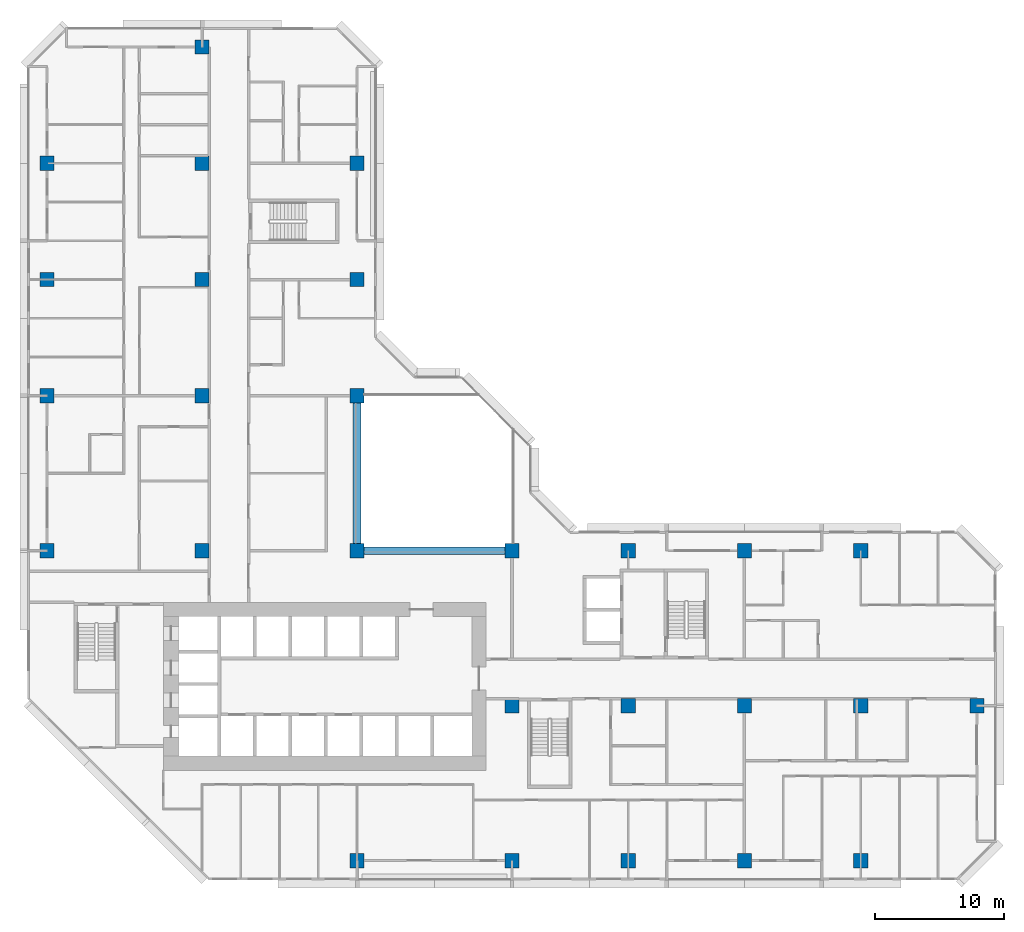
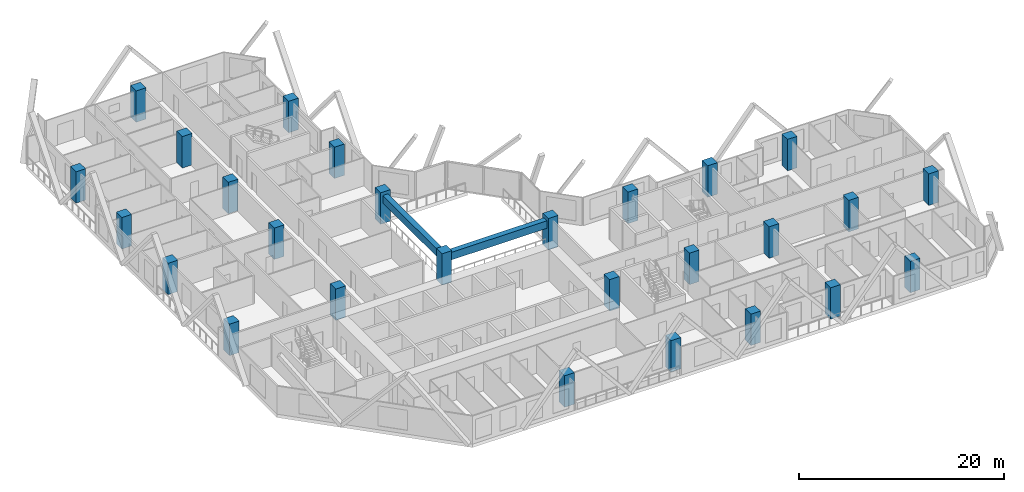
# One storey, part 1 of 15: 27 columns, 2 beams.
"""IFC4 building model written with IfcOpenShell, lengths in metres."""

from ifc_helpers import new_model, si_unit, direction, frame, origin, origin_2d, place, context, subcontext, project, spatial, rectangle, extrude, material, material_profile, profile_set, type_object, element, save


model = new_model("IFC4")

# Units and contexts
model_context = context("Model", 3, precision=1e-05, world=origin(), true_north=direction((0.0, 1.0)))
body_context = subcontext(model_context, "Body", "Model", "MODEL_VIEW")
ifc_project = project(units=[si_unit("LENGTHUNIT", "METRE"), si_unit("AREAUNIT", "SQUARE_METRE"), si_unit("VOLUMEUNIT", "CUBIC_METRE"), si_unit("PLANEANGLEUNIT", "RADIAN"), si_unit("MASSUNIT", "GRAM", prefix="KILO")], contexts=[model_context])

# Site, building, storey
site_placement = place(None, origin())
site = spatial("IfcSite", under=ifc_project, at=site_placement, CompositionType="ELEMENT")
building_placement = place(site_placement, origin())
building = spatial("IfcBuilding", under=site, at=building_placement, Name="Chenar Terraces", CompositionType="ELEMENT")
storey_placement = place(building_placement, frame((0.0, 0.0, 63.89990234375)))
storey = spatial("IfcBuildingStorey", under=building, at=storey_placement, Name="L13", CompositionType="ELEMENT", Elevation=63.89990234375)

# Columns
ifc_material_1 = material(Name="Concrete C70/85", Category="concrete")
ifc_material_profile_1 = material_profile(ifc_material_1, rectangle(XDim=1.10009765625, YDim=1.10009765625, at=origin_2d()), Name="C 1100 x 1100")
ifc_profile_set_1 = profile_set([ifc_material_profile_1], Name="Concrete C70/85")
column_type = type_object("IfcColumnType", Name="Column C 1100 x 1100 Concrete C70/85", PredefinedType="COLUMN", material=ifc_profile_set_1)
column_1_placement = place(storey_placement, frame((0.0, 24.0, 0.0), z_axis=(0.0, 0.0, 1.0), x_axis=(1.0, 0.0, 0.0)))
element("IfcColumn", 1, at=column_1_placement, inside=storey, type_object=column_type, Name="Column 5/G L13", PredefinedType="COLUMN", context=body_context, shape_type="SweptSolid", body=[
    extrude(rectangle(XDim=1.10009765625, YDim=1.10009765625, at=origin_2d()), origin(), (0.0, 0.0, 1.0), 3.75),
])
column_2_placement = place(storey_placement, frame((0.0, 36.0, 0.0), z_axis=(0.0, 0.0, 1.0), x_axis=(1.0, 0.0, 0.0)))
element("IfcColumn", 2, at=column_2_placement, inside=storey, type_object=column_type, Name="Column 5/H L13", PredefinedType="COLUMN", context=body_context, shape_type="SweptSolid", body=[
    extrude(rectangle(XDim=1.10009765625, YDim=1.10009765625, at=origin_2d()), origin(), (0.0, 0.0, 1.0), 3.75),
])
for number, where, z_axis, x_axis, name in (
    (3, (0.0, 45.0, 0.0), (0.0, 0.0, 1.0), (1.0, 0.0, 0.0), "Column 5/J L13"),
    (4, (0.0, 54.0, 0.0), (0.0, 0.0, 1.0), (1.0, 0.0, 0.0), "Column 5/K L13"),
    (5, (12.0, 24.0, 0.0), (0.0, 0.0, 1.0), (1.0, 0.0, 0.0), "Column 6/G L13"),
    (6, (12.0, 36.0, 0.0), (0.0, 0.0, 1.0), (1.0, 0.0, 0.0), "Column 6/H L13"),
    (7, (12.0, 45.0, 0.0), (0.0, 0.0, 1.0), (1.0, 0.0, 0.0), "Column 6/J L13"),
    (8, (12.0, 54.0, 0.0), (0.0, 0.0, 1.0), (1.0, 0.0, 0.0), "Column 6/K L13"),
    (9, (12.0, 63.0, 0.0), (0.0, 0.0, 1.0), (1.0, 0.0, 0.0), "Column 6/L L13"),
    (10, (24.0, 0.0, 0.0), (0.0, 0.0, 1.0), (1.0, 0.0, 0.0), "Column 7/E L13"),
    (11, (24.0, 24.0, 0.0), (0.0, 0.0, 1.0), (1.0, 0.0, 0.0), "Column 7/G L13"),
    (12, (24.0, 36.0, 0.0), (0.0, 0.0, 1.0), (1.0, 0.0, 0.0), "Column 7/H L13"),
    (13, (24.0, 45.0, 0.0), (0.0, 0.0, 1.0), (1.0, 0.0, 0.0), "Column 7/J L13"),
    (14, (24.0, 54.0, 0.0), (0.0, 0.0, 1.0), (1.0, 0.0, 0.0), "Column 7/K L13"),
    (15, (36.0, 0.0, 0.0), (0.0, 0.0, 1.0), (1.0, 0.0, 0.0), "Column 8/E L13"),
    (16, (36.0, 12.0, 0.0), (0.0, 0.0, 1.0), (1.0, 0.0, 0.0), "Column 8/F L13"),
    (17, (36.0, 24.0, 0.0), (0.0, 0.0, 1.0), (1.0, 0.0, 0.0), "Column 8/G L13"),
    (18, (45.0, 0.0, 0.0), (0.0, 0.0, 1.0), (1.0, 0.0, 0.0), "Column 9/E L13"),
    (19, (45.0, 12.0, 0.0), (0.0, 0.0, 1.0), (1.0, 0.0, 0.0), "Column 9/F L13"),
    (20, (45.0, 24.0, 0.0), (0.0, 0.0, 1.0), (1.0, 0.0, 0.0), "Column 9/G L13"),
    (21, (54.0, 0.0, 0.0), (0.0, 0.0, 1.0), (1.0, 0.0, 0.0), "Column 10/E L13"),
    (22, (54.0, 12.0, 0.0), (0.0, 0.0, 1.0), (1.0, 0.0, 0.0), "Column 10/F L13"),
    (23, (54.0, 24.0, 0.0), (0.0, 0.0, 1.0), (1.0, 0.0, 0.0), "Column 10/G L13"),
    (24, (63.0, 0.0, 0.0), (0.0, 0.0, 1.0), (1.0, 0.0, 0.0), "Column 11/E L13"),
    (25, (63.0, 12.0, 0.0), (0.0, 0.0, 1.0), (1.0, 0.0, 0.0), "Column 11/F L13"),
    (26, (63.0, 24.0, 0.0), (0.0, 0.0, 1.0), (1.0, 0.0, 0.0), "Column 11/G L13"),
    (27, (72.0, 12.0, 0.0), (0.0, 0.0, 1.0), (1.0, 0.0, 0.0), "Column 12/F L13"),
):
    element("IfcColumn", number, at=place(storey_placement, frame(where, z_axis=z_axis, x_axis=x_axis)), inside=storey, type_object=column_type, Name=name, PredefinedType="COLUMN", context=body_context, shape_type="SweptSolid", body=[
        extrude(rectangle(XDim=1.10009765625, YDim=1.10009765625, at=origin_2d()), origin(), (0.0, 0.0, 1.0), 3.75),
    ])

# Beams
ifc_material_2 = material(Name="Concrete C40/50", Category="concrete")
ifc_material_profile_2 = material_profile(ifc_material_2, rectangle(XDim=0.60009765625, YDim=0.89990234375, at=origin_2d()), Name="RC 600 x 900")
ifc_profile_set_2 = profile_set([ifc_material_profile_2], Name="Concrete C40/50")
beam_type = type_object("IfcBeamType", Name="Atrium edge beam 600 x 900 Concrete C40/50", PredefinedType="BEAM", material=ifc_profile_set_2)
for number, where, z_axis, x_axis, name in (
    (28, (24.550048828125, 24.0, 2.900146484375), (1.0, 0.0, 0.0), (0.0, 1.0, 0.0), "Atrium edge beam L14 1"),
    (29, (24.0, 35.449951171875, 2.900146484375), (0.0, -1.0, 0.0), (1.0, 0.0, 0.0), "Atrium edge beam L14 4"),
):
    element("IfcBeam", number, at=place(storey_placement, frame(where, z_axis=z_axis, x_axis=x_axis)), inside=storey, type_object=beam_type, Name=name, PredefinedType="BEAM", context=body_context, shape_type="SweptSolid", body=[
        extrude(rectangle(XDim=0.60009765625, YDim=0.89990234375, at=origin_2d()), origin(), (0.0, 0.0, 1.0), 10.89990234375),
    ])

save(model, "model.ifc")
